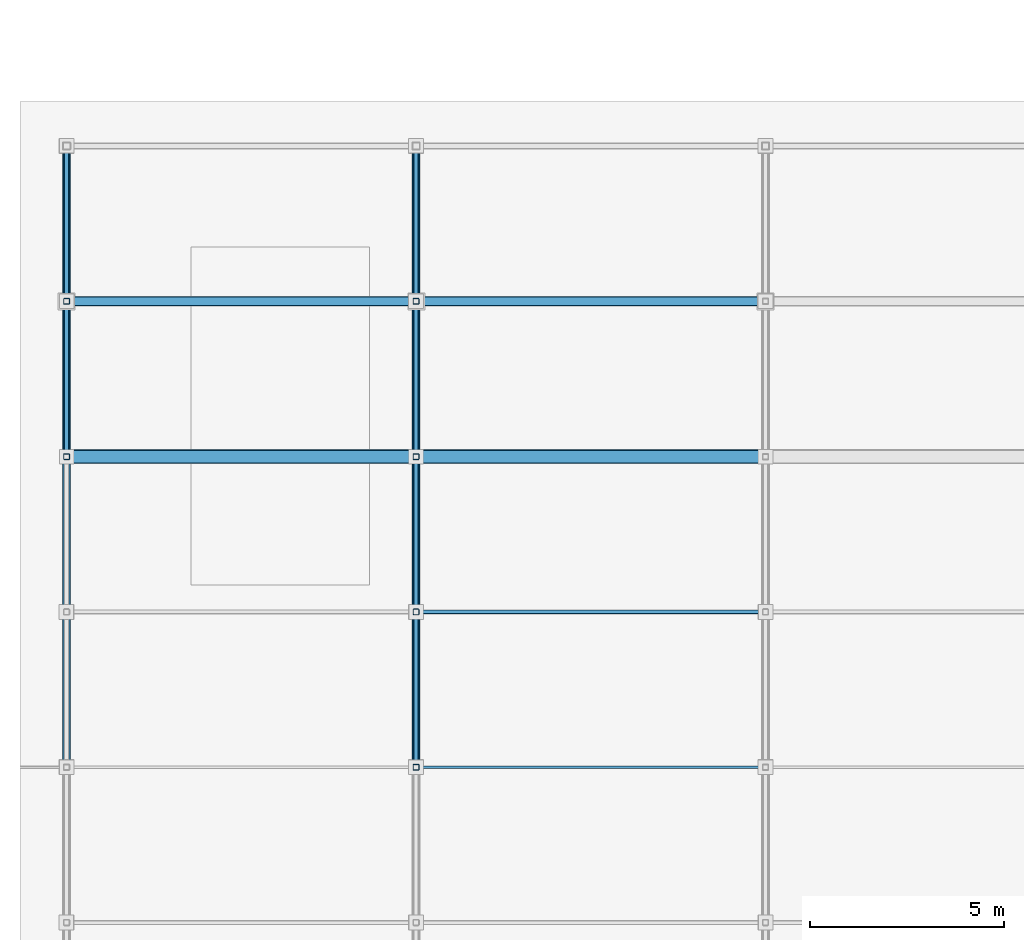
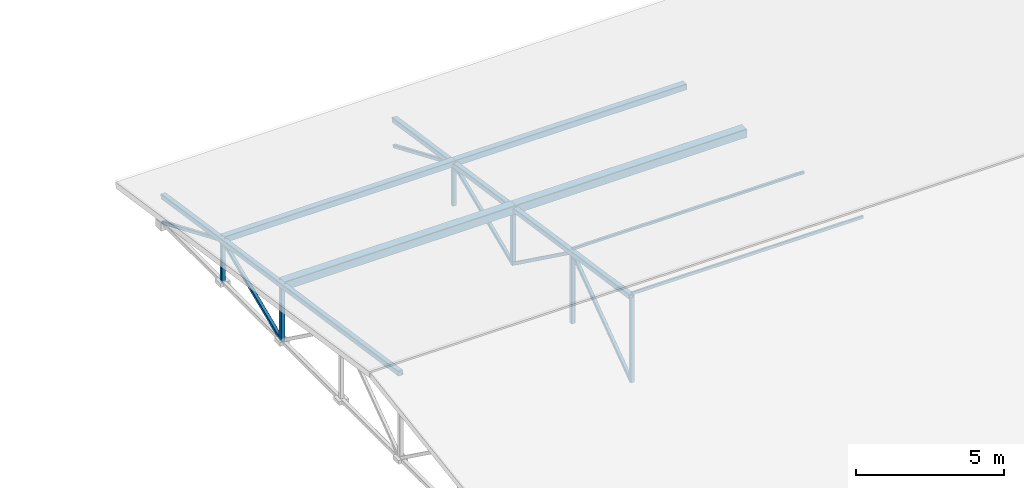
# One storey, part 13 of 118: 18 members, 2 beams.
"""IFC4 building model written with IfcOpenShell, lengths in metres."""

from ifc_helpers import new_model, si_unit, direction, frame, origin, origin_2d, place, context, subcontext, project, spatial, hollow_rectangle, extrude, material, material_profile, profile_set, type_object, element, save


model = new_model("IFC4")

# Units and contexts
model_context = context("Model", 3, precision=1e-05, world=origin(), true_north=direction((0.0, 1.0)))
body_context = subcontext(model_context, "Body", "Model", "MODEL_VIEW")
ifc_project = project(units=[si_unit("LENGTHUNIT", "METRE"), si_unit("AREAUNIT", "SQUARE_METRE"), si_unit("VOLUMEUNIT", "CUBIC_METRE"), si_unit("PLANEANGLEUNIT", "RADIAN"), si_unit("MASSUNIT", "GRAM", prefix="KILO"), si_unit("THERMODYNAMICTEMPERATUREUNIT", "KELVIN"), si_unit("POWERUNIT", "WATT")], contexts=[model_context])

# Site, building, storey
site_placement = place(None, origin())
site = spatial("IfcSite", under=ifc_project, at=site_placement, CompositionType="ELEMENT")
building_placement = place(site_placement, origin())
building = spatial("IfcBuilding", under=site, at=building_placement, Name="Zelmaris Science Centre", CompositionType="ELEMENT")
storey_placement = place(building_placement, frame((0.0, 0.0, 15.60009765625)))
storey = spatial("IfcBuildingStorey", under=building, at=storey_placement, Name="L03", CompositionType="ELEMENT", Elevation=15.60009765625)

# Beams
ifc_material = material(Name="Steel ASTM A500 Grade C", Category="steel")
ifc_material_profile_1 = material_profile(ifc_material, hollow_rectangle(XDim=0.203125, YDim=0.203125, WallThickness=0.01171875, InnerFilletRadius=0.01171875, OuterFilletRadius=0.023681640625, at=origin_2d()), Name="HSS203X203X13")
ifc_profile_set_1 = profile_set([ifc_material_profile_1], Name="Steel ASTM A500 Grade C")
beam_type = type_object("IfcBeamType", Name="Beam G-20 HSS203X203X13", PredefinedType="BEAM", material=ifc_profile_set_1)
for number, where, z_axis, x_axis, name in (
    (1, (9.0, 24.0, 3.3955078125), (0.0, 0.988937238327, -0.148334549755), (-1.0, 0.0, 0.0), "RF-V3 Roof truss 1 north top chord"),
    (2, (18.0, 24.0, 3.3955078125), (0.0, 0.988937238327, -0.148334549755), (-1.0, 0.0, 0.0), "RF-V3 Roof truss 2 north top chord"),
):
    element("IfcBeam", number, at=place(storey_placement, frame(where, z_axis=z_axis, x_axis=x_axis)), inside=storey, type_object=beam_type, Name=name, PredefinedType="BEAM", context=body_context, shape_type="SweptSolid", body=[
        extrude(hollow_rectangle(XDim=0.203125, YDim=0.203125, WallThickness=0.01171875, InnerFilletRadius=0.01171875, OuterFilletRadius=0.023681640625, at=origin_2d()), origin(), (0.0, 0.0, 1.0), 16.178955078125),
    ])

# Members
ifc_material_profile_2 = material_profile(ifc_material, hollow_rectangle(XDim=0.076171875, YDim=0.126953125, WallThickness=0.005859375, InnerFilletRadius=0.005859375, OuterFilletRadius=0.01171875, at=origin_2d()), Name="HSS127X76X6")
ifc_profile_set_2 = profile_set([ifc_material_profile_2], Name="Steel ASTM A500 Grade C")
member_type_1 = type_object("IfcMemberType", Name="Roof Purlin PR-06 HSS127X76X6", PredefinedType="PURLIN", material=ifc_profile_set_2)
member_1_placement = place(storey_placement, frame((18.0, 24.0, 3.52880859375), z_axis=(1.0, 0.0, 0.0), x_axis=(0.0, 1.0, 0.0)))
element("IfcMember", 3, at=member_1_placement, inside=storey, type_object=member_type_1, Name="RF-V3 Roof purlin 14", PredefinedType="PURLIN", context=body_context, shape_type="SweptSolid", body=[
    extrude(hollow_rectangle(XDim=0.076171875, YDim=0.126953125, WallThickness=0.005859375, InnerFilletRadius=0.005859375, OuterFilletRadius=0.01171875, at=origin_2d()), origin(), (0.0, 0.0, 1.0), 9.0),
])
ifc_material_profile_3 = material_profile(ifc_material, hollow_rectangle(XDim=0.1015625, YDim=0.1015625, WallThickness=0.005859375, InnerFilletRadius=0.005859375, OuterFilletRadius=0.01171875, at=origin_2d()), Name="HSS102X102X6")
ifc_profile_set_3 = profile_set([ifc_material_profile_3], Name="Steel ASTM A500 Grade C")
member_type_2 = type_object("IfcMemberType", Name="Roof Purlin PR-07 HSS102X102X6", PredefinedType="PURLIN", material=ifc_profile_set_3)
member_2_placement = place(storey_placement, frame((18.0, 28.0, 2.94140625), z_axis=(1.0, 0.0, 0.0), x_axis=(0.0, 1.0, 0.0)))
element("IfcMember", 4, at=member_2_placement, inside=storey, type_object=member_type_2, Name="RF-V3 Roof purlin 15", PredefinedType="PURLIN", context=body_context, shape_type="SweptSolid", body=[
    extrude(hollow_rectangle(XDim=0.1015625, YDim=0.1015625, WallThickness=0.005859375, InnerFilletRadius=0.005859375, OuterFilletRadius=0.01171875, at=origin_2d()), origin(), (0.0, 0.0, 1.0), 9.0),
])
ifc_material_profile_4 = material_profile(ifc_material, hollow_rectangle(XDim=0.355712890625, YDim=0.355712890625, WallThickness=0.0146484375, InnerFilletRadius=0.0146484375, OuterFilletRadius=0.029296875, at=origin_2d()), Name="HSS356X356X16")
ifc_profile_set_4 = profile_set([ifc_material_profile_4], Name="Steel ASTM A500 Grade C")
member_type_3 = type_object("IfcMemberType", Name="Roof Purlin PR-08 HSS356X356X16", PredefinedType="PURLIN", material=ifc_profile_set_4)
for number, where, z_axis, x_axis, name in (
    (5, (9.0, 32.0, 2.21435546875), (1.0, 0.0, 0.0), (0.0, 1.0, 0.0), "RF-V3 Roof purlin 7"),
    (6, (18.0, 32.0, 2.21435546875), (1.0, 0.0, 0.0), (0.0, 1.0, 0.0), "RF-V3 Roof purlin 16"),
):
    element("IfcMember", number, at=place(storey_placement, frame(where, z_axis=z_axis, x_axis=x_axis)), inside=storey, type_object=member_type_3, Name=name, PredefinedType="PURLIN", context=body_context, shape_type="SweptSolid", body=[
        extrude(hollow_rectangle(XDim=0.355712890625, YDim=0.355712890625, WallThickness=0.0146484375, InnerFilletRadius=0.0146484375, OuterFilletRadius=0.029296875, at=origin_2d()), origin(), (0.0, 0.0, 1.0), 9.0),
    ])
ifc_material_profile_5 = material_profile(ifc_material, hollow_rectangle(XDim=0.25390625, YDim=0.25390625, WallThickness=0.01171875, InnerFilletRadius=0.01171875, OuterFilletRadius=0.023681640625, at=origin_2d()), Name="HSS254X254X13")
ifc_profile_set_5 = profile_set([ifc_material_profile_5], Name="Steel ASTM A500 Grade C")
member_type_4 = type_object("IfcMemberType", Name="Roof Purlin PR-09 HSS254X254X13", PredefinedType="PURLIN", material=ifc_profile_set_5)
for number, where, z_axis, x_axis, name in (
    (7, (9.0, 36.0, 1.665283203125), (1.0, 0.0, 0.0), (0.0, 1.0, 0.0), "RF-V3 Roof purlin 8"),
    (8, (18.0, 36.0, 1.665283203125), (1.0, 0.0, 0.0), (0.0, 1.0, 0.0), "RF-V3 Roof purlin 17"),
):
    element("IfcMember", number, at=place(storey_placement, frame(where, z_axis=z_axis, x_axis=x_axis)), inside=storey, type_object=member_type_4, Name=name, PredefinedType="PURLIN", context=body_context, shape_type="SweptSolid", body=[
        extrude(hollow_rectangle(XDim=0.25390625, YDim=0.25390625, WallThickness=0.01171875, InnerFilletRadius=0.01171875, OuterFilletRadius=0.023681640625, at=origin_2d()), origin(), (0.0, 0.0, 1.0), 9.0),
    ])
ifc_material_profile_6 = material_profile(ifc_material, hollow_rectangle(XDim=0.15234375, YDim=0.15234375, WallThickness=0.0087890625, InnerFilletRadius=0.0087890625, OuterFilletRadius=0.017822265625, at=origin_2d()), Name="HSS152X152X10")
ifc_profile_set_6 = profile_set([ifc_material_profile_6], Name="Steel ASTM A500 Grade C")
member_type_5 = type_object("IfcMemberType", Name="Structural Brace BR-03 HSS152X152X10", PredefinedType="BRACE", material=ifc_profile_set_6)
member_3_placement = place(storey_placement, frame((9.0, 32.0, -0.1044921875), z_axis=(0.0, 0.0, 1.0), x_axis=(1.0, 0.0, 0.0)))
element("IfcMember", 9, at=member_3_placement, inside=storey, type_object=member_type_5, Name="RF-V3 Roof truss 1 vertical web 6", PredefinedType="BRACE", context=body_context, shape_type="SweptSolid", body=[
    extrude(hollow_rectangle(XDim=0.15234375, YDim=0.15234375, WallThickness=0.0087890625, InnerFilletRadius=0.0087890625, OuterFilletRadius=0.017822265625, at=origin_2d()), origin(), (0.0, 0.0, 1.0), 2.300048828125),
])
member_4_placement = place(storey_placement, frame((9.0, 36.0, -0.1044921875), z_axis=(0.0, 0.0, 1.0), x_axis=(1.0, 0.0, 0.0)))
element("IfcMember", 10, at=member_4_placement, inside=storey, type_object=member_type_5, Name="RF-V3 Roof truss 1 vertical web 7", PredefinedType="BRACE", context=body_context, shape_type="SweptSolid", body=[
    extrude(hollow_rectangle(XDim=0.15234375, YDim=0.15234375, WallThickness=0.0087890625, InnerFilletRadius=0.0087890625, OuterFilletRadius=0.017822265625, at=origin_2d()), origin(), (0.0, 0.0, 1.0), 1.7001953125),
])
member_5_placement = place(storey_placement, frame((18.0, 24.0, -0.1044921875), z_axis=(0.0, 0.0, 1.0), x_axis=(1.0, 0.0, 0.0)))
element("IfcMember", 11, at=member_5_placement, inside=storey, type_object=member_type_5, Name="RF-V3 Roof truss 2 vertical web 4", PredefinedType="BRACE", context=body_context, shape_type="SweptSolid", body=[
    extrude(hollow_rectangle(XDim=0.15234375, YDim=0.15234375, WallThickness=0.0087890625, InnerFilletRadius=0.0087890625, OuterFilletRadius=0.017822265625, at=origin_2d()), origin(), (0.0, 0.0, 1.0), 3.5),
])
member_6_placement = place(storey_placement, frame((18.0, 28.0, -0.1044921875), z_axis=(0.0, 0.0, 1.0), x_axis=(1.0, 0.0, 0.0)))
element("IfcMember", 12, at=member_6_placement, inside=storey, type_object=member_type_5, Name="RF-V3 Roof truss 2 vertical web 5", PredefinedType="BRACE", context=body_context, shape_type="SweptSolid", body=[
    extrude(hollow_rectangle(XDim=0.15234375, YDim=0.15234375, WallThickness=0.0087890625, InnerFilletRadius=0.0087890625, OuterFilletRadius=0.017822265625, at=origin_2d()), origin(), (0.0, 0.0, 1.0), 2.900146484375),
])
member_7_placement = place(storey_placement, frame((18.0, 32.0, -0.1044921875), z_axis=(0.0, 0.0, 1.0), x_axis=(1.0, 0.0, 0.0)))
element("IfcMember", 13, at=member_7_placement, inside=storey, type_object=member_type_5, Name="RF-V3 Roof truss 2 vertical web 6", PredefinedType="BRACE", context=body_context, shape_type="SweptSolid", body=[
    extrude(hollow_rectangle(XDim=0.15234375, YDim=0.15234375, WallThickness=0.0087890625, InnerFilletRadius=0.0087890625, OuterFilletRadius=0.017822265625, at=origin_2d()), origin(), (0.0, 0.0, 1.0), 2.300048828125),
])
member_8_placement = place(storey_placement, frame((18.0, 36.0, -0.1044921875), z_axis=(0.0, 0.0, 1.0), x_axis=(1.0, 0.0, 0.0)))
element("IfcMember", 14, at=member_8_placement, inside=storey, type_object=member_type_5, Name="RF-V3 Roof truss 2 vertical web 7", PredefinedType="BRACE", context=body_context, shape_type="SweptSolid", body=[
    extrude(hollow_rectangle(XDim=0.15234375, YDim=0.15234375, WallThickness=0.0087890625, InnerFilletRadius=0.0087890625, OuterFilletRadius=0.017822265625, at=origin_2d()), origin(), (0.0, 0.0, 1.0), 1.7001953125),
])
ifc_material_profile_7 = material_profile(ifc_material, hollow_rectangle(XDim=0.126953125, YDim=0.126953125, WallThickness=0.00732421875, InnerFilletRadius=0.00732421875, OuterFilletRadius=0.014892578125, at=origin_2d()), Name="HSS127X127X8")
ifc_profile_set_7 = profile_set([ifc_material_profile_7], Name="Steel ASTM A500 Grade C")
member_type_6 = type_object("IfcMemberType", Name="Structural Brace BR-04 HSS127X127X8", PredefinedType="BRACE", material=ifc_profile_set_7)
for number, where, z_axis, x_axis, name in (
    (15, (9.0, 32.0, -0.1044921875), (0.0, 0.920314741215, 0.39117870226), (-1.0, 0.0, 0.0), "RF-V3 Roof truss 1 web diagonal 7"),
    (16, (9.0, 36.0, 1.595703125), (0.0, 0.920314741215, -0.39117870226), (-1.0, 0.0, 0.0), "RF-V3 Roof truss 1 web diagonal 8"),
):
    element("IfcMember", number, at=place(storey_placement, frame(where, z_axis=z_axis, x_axis=x_axis)), inside=storey, type_object=member_type_6, Name=name, PredefinedType="BRACE", context=body_context, shape_type="SweptSolid", body=[
        extrude(hollow_rectangle(XDim=0.126953125, YDim=0.126953125, WallThickness=0.00732421875, InnerFilletRadius=0.00732421875, OuterFilletRadius=0.014892578125, at=origin_2d()), origin(), (0.0, 0.0, 1.0), 4.346435546875),
    ])
for number, where, z_axis, x_axis, name in (
    (17, (18.0, 24.0, -0.1044921875), (0.0, 0.80959635384, 0.586987004838), (-1.0, 0.0, 0.0), "RF-V3 Roof truss 2 web diagonal 5"),
    (18, (18.0, 28.0, 2.795654296875), (0.0, 0.80959635384, -0.586987004838), (-1.0, 0.0, 0.0), "RF-V3 Roof truss 2 web diagonal 6"),
):
    element("IfcMember", number, at=place(storey_placement, frame(where, z_axis=z_axis, x_axis=x_axis)), inside=storey, type_object=member_type_6, Name=name, PredefinedType="BRACE", context=body_context, shape_type="SweptSolid", body=[
        extrude(hollow_rectangle(XDim=0.126953125, YDim=0.126953125, WallThickness=0.00732421875, InnerFilletRadius=0.00732421875, OuterFilletRadius=0.014892578125, at=origin_2d()), origin(), (0.0, 0.0, 1.0), 4.940673828125),
    ])
for number, where, z_axis, x_axis, name in (
    (19, (18.0, 32.0, -0.1044921875), (0.0, 0.920314741215, 0.39117870226), (-1.0, 0.0, 0.0), "RF-V3 Roof truss 2 web diagonal 7"),
    (20, (18.0, 36.0, 1.595703125), (0.0, 0.920314741215, -0.39117870226), (-1.0, 0.0, 0.0), "RF-V3 Roof truss 2 web diagonal 8"),
):
    element("IfcMember", number, at=place(storey_placement, frame(where, z_axis=z_axis, x_axis=x_axis)), inside=storey, type_object=member_type_6, Name=name, PredefinedType="BRACE", context=body_context, shape_type="SweptSolid", body=[
        extrude(hollow_rectangle(XDim=0.126953125, YDim=0.126953125, WallThickness=0.00732421875, InnerFilletRadius=0.00732421875, OuterFilletRadius=0.014892578125, at=origin_2d()), origin(), (0.0, 0.0, 1.0), 4.346435546875),
    ])

save(model, "model.ifc")
